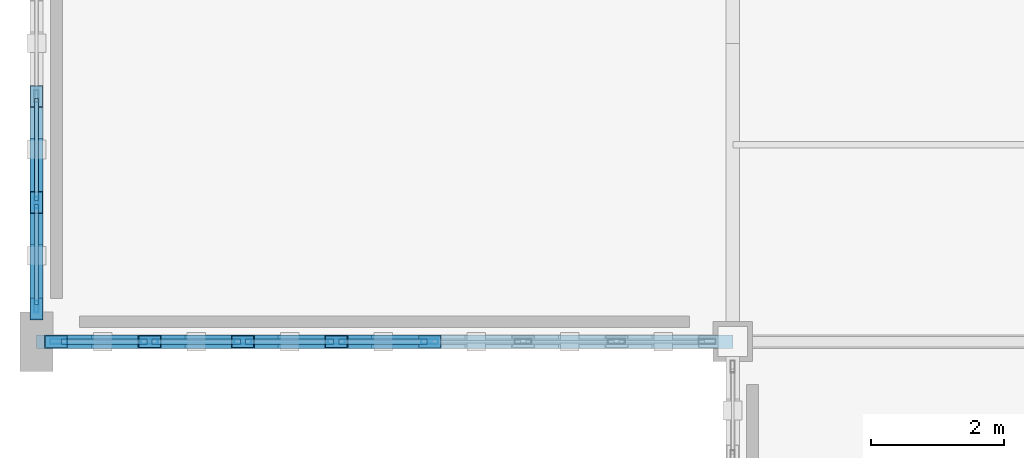
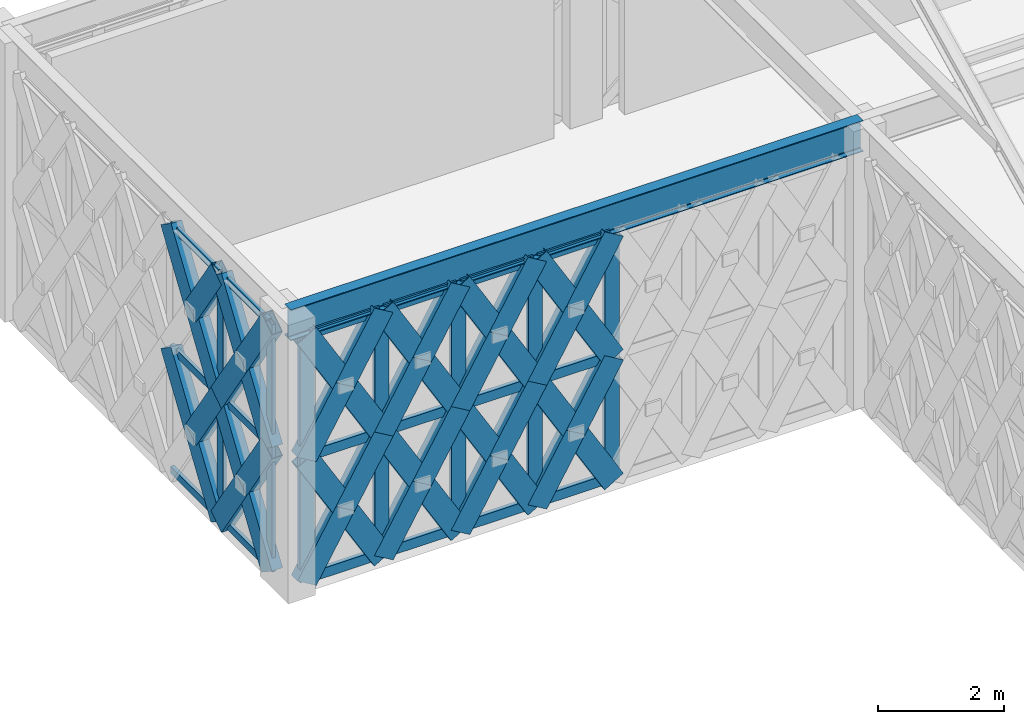
# One storey, part 4 of 32: 59 members, 1 beam, 2 elements without a shape of their own.
"""IFC4 building model written with IfcOpenShell, lengths in metres."""

from ifc_helpers import new_model, si_unit, direction, frame, origin, origin_2d, place, context, subcontext, project, spatial, hollow_rectangle, i_section, extrude, material, material_profile, profile_set, type_object, element, aggregate, save


model = new_model("IFC4")

# Units and contexts
model_context = context("Model", 3, precision=1e-05, world=origin(), true_north=direction((0.0, 1.0)))
body_context = subcontext(model_context, "Body", "Model", "MODEL_VIEW")
ifc_project = project(units=[si_unit("LENGTHUNIT", "METRE"), si_unit("AREAUNIT", "SQUARE_METRE"), si_unit("VOLUMEUNIT", "CUBIC_METRE"), si_unit("PLANEANGLEUNIT", "RADIAN"), si_unit("MASSUNIT", "GRAM", prefix="KILO")], contexts=[model_context])

# Site, building, storey
site_placement = place(None, origin())
site = spatial("IfcSite", under=ifc_project, at=site_placement, CompositionType="ELEMENT")
building_placement = place(site_placement, origin())
building = spatial("IfcBuilding", under=site, at=building_placement, Name="Haizhuo Lancet Aquarium", CompositionType="ELEMENT")
storey_placement = place(building_placement, frame((0.0, 0.0, 27.0)))
storey = spatial("IfcBuildingStorey", under=building, at=storey_placement, Name="L05", CompositionType="ELEMENT", Elevation=27.0)

# Beam
ifc_material_1 = material(Name="Steel S355", Category="steel")
ifc_material_profile_1 = material_profile(ifc_material_1, i_section(OverallWidth=0.199951171875, OverallDepth=0.60009765625, WebThickness=0.010986328125, FlangeThickness=0.01708984375, FilletRadius=0.02197265625, at=origin_2d()), Name="HN 600x200x11x17")
ifc_profile_set_1 = profile_set([ifc_material_profile_1], Name="Steel S355")
beam_type = type_object("IfcBeamType", Name="BM-ST-HN600", PredefinedType="BEAM", material=ifc_profile_set_1)
beam_placement = place(storey_placement, frame((-82.5, -18.0, 5.10009765625), z_axis=(1.0, 0.0, 0.0), x_axis=(0.0, 1.0, 0.0)))
element("IfcBeam", 1, at=beam_placement, inside=storey, type_object=beam_type, Name="L05 V6 primary girder BM-L05-V6-002", PredefinedType="BEAM", context=body_context, shape_type="SweptSolid", body=[
    extrude(i_section(OverallWidth=0.199951171875, OverallDepth=0.60009765625, WebThickness=0.010986328125, FlangeThickness=0.01708984375, FilletRadius=0.02197265625, at=origin_2d()), origin(), (0.0, 0.0, 1.0), 10.5),
])

# Curtain wall, members
ifc_material_2 = material(Name="Aluminium 6063-T6", Category="aluminium")
curtain_wall_type_1 = type_object("IfcCurtainWallType", Name="CWD-8010x4800", PredefinedType="NOTDEFINED", material=ifc_material_2)
curtain_wall_1_placement = place(storey_placement, origin())
curtain_wall_1 = element("IfcCurtainWall", 2, at=curtain_wall_1_placement, inside=storey, type_object=curtain_wall_type_1, Name="L05 curtain wall CW-V6-L05-259", PredefinedType="NOTDEFINED")
ifc_material_profile_2 = material_profile(ifc_material_2, hollow_rectangle(XDim=0.06494140625, YDim=0.179931640625, WallThickness=0.00390625, at=origin_2d()), Name="ALU-M 65x180x4")
ifc_profile_set_2 = profile_set([ifc_material_profile_2], Name="Aluminium 6063-T6")
member_type_1 = type_object("IfcMemberType", Name="CW-MUL-1", PredefinedType="MULLION", material=ifc_profile_set_2)
member_1_placement = place(storey_placement, frame((-82.5, -17.472900390625, 0.0), z_axis=(0.0, 0.0, 1.0), x_axis=(-1.0, 0.0, 0.0)))
member_1 = element("IfcMember", 3, at=member_1_placement, type_object=member_type_1, Name="CWD-80x48 mullion 1", PredefinedType="MULLION", context=body_context, shape_type="SweptSolid", body=[
    extrude(hollow_rectangle(XDim=0.06494140625, YDim=0.179931640625, WallThickness=0.00390625, at=origin_2d()), origin(), (0.0, 0.0, 1.0), 4.800048828125),
])
member_2_placement = place(storey_placement, frame((-82.5, -15.903076171875, 0.0), z_axis=(0.0, 0.0, 1.0), x_axis=(-1.0, 0.0, 0.0)))
member_2 = element("IfcMember", 4, at=member_2_placement, type_object=member_type_1, Name="CWD-80x48 mullion 2", PredefinedType="MULLION", context=body_context, shape_type="SweptSolid", body=[
    extrude(hollow_rectangle(XDim=0.06494140625, YDim=0.179931640625, WallThickness=0.00390625, at=origin_2d()), origin(), (0.0, 0.0, 1.0), 4.800048828125),
])

curtain_wall_type_2 = type_object("IfcCurtainWallType", Name="CWD-9860x4800", PredefinedType="NOTDEFINED", material=ifc_material_2)
curtain_wall_2_placement = place(storey_placement, origin())
curtain_wall_2 = element("IfcCurtainWall", 5, at=curtain_wall_2_placement, inside=storey, type_object=curtain_wall_type_2, Name="L05 curtain wall CW-V6-L05-258", PredefinedType="NOTDEFINED")
ifc_material_profile_3 = material_profile(ifc_material_2, hollow_rectangle(XDim=0.080078125, YDim=0.260009765625, WallThickness=0.0048828125, at=origin_2d()), Name="ALU-M 80x260x5")
ifc_profile_set_3 = profile_set([ifc_material_profile_3], Name="Aluminium 6063-T6")
member_type_2 = type_object("IfcMemberType", Name="CW-MUL-3", PredefinedType="MULLION", material=ifc_profile_set_3)
member_3_placement = place(storey_placement, frame((-76.571044921875, -18.0, 0.0), z_axis=(0.0, 0.0, 1.0), x_axis=(0.0, -1.0, 0.0)))
member_3 = element("IfcMember", 6, at=member_3_placement, type_object=member_type_2, Name="CWD-98x48 mullion 4", PredefinedType="MULLION", context=body_context, shape_type="SweptSolid", body=[
    extrude(hollow_rectangle(XDim=0.080078125, YDim=0.260009765625, WallThickness=0.0048828125, at=origin_2d()), origin(), (0.0, 0.0, 1.0), 4.800048828125),
])
member_4_placement = place(storey_placement, frame((-77.97900390625, -18.0, 0.0), z_axis=(0.0, 0.0, 1.0), x_axis=(0.0, -1.0, 0.0)))
member_4 = element("IfcMember", 7, at=member_4_placement, type_object=member_type_2, Name="CWD-98x48 mullion 5", PredefinedType="MULLION", context=body_context, shape_type="SweptSolid", body=[
    extrude(hollow_rectangle(XDim=0.080078125, YDim=0.260009765625, WallThickness=0.0048828125, at=origin_2d()), origin(), (0.0, 0.0, 1.0), 4.800048828125),
])
member_5_placement = place(storey_placement, frame((-79.387939453125, -18.0, 0.0), z_axis=(0.0, 0.0, 1.0), x_axis=(0.0, -1.0, 0.0)))
member_5 = element("IfcMember", 8, at=member_5_placement, type_object=member_type_2, Name="CWD-98x48 mullion 6", PredefinedType="MULLION", context=body_context, shape_type="SweptSolid", body=[
    extrude(hollow_rectangle(XDim=0.080078125, YDim=0.260009765625, WallThickness=0.0048828125, at=origin_2d()), origin(), (0.0, 0.0, 1.0), 4.800048828125),
])
member_6_placement = place(storey_placement, frame((-80.7958984375, -18.0, 0.0), z_axis=(0.0, 0.0, 1.0), x_axis=(0.0, -1.0, 0.0)))
member_6 = element("IfcMember", 9, at=member_6_placement, type_object=member_type_2, Name="CWD-98x48 mullion 7", PredefinedType="MULLION", context=body_context, shape_type="SweptSolid", body=[
    extrude(hollow_rectangle(XDim=0.080078125, YDim=0.260009765625, WallThickness=0.0048828125, at=origin_2d()), origin(), (0.0, 0.0, 1.0), 4.800048828125),
])
member_7_placement = place(storey_placement, frame((-82.1650390625, -18.0, 0.0), z_axis=(0.0, 0.0, 1.0), x_axis=(0.0, -1.0, 0.0)))
member_7 = element("IfcMember", 10, at=member_7_placement, type_object=member_type_2, Name="CWD-98x48 mullion 8", PredefinedType="MULLION", context=body_context, shape_type="SweptSolid", body=[
    extrude(hollow_rectangle(XDim=0.080078125, YDim=0.260009765625, WallThickness=0.0048828125, at=origin_2d()), origin(), (0.0, 0.0, 1.0), 4.800048828125),
])

# Member
ifc_material_profile_4 = material_profile(ifc_material_2, hollow_rectangle(XDim=0.06494140625, YDim=0.139892578125, WallThickness=0.00390625, at=origin_2d()), Name="ALU-T 65x140x4")
ifc_profile_set_4 = profile_set([ifc_material_profile_4], Name="Aluminium 6063-T6")
member_type_3 = type_object("IfcMemberType", Name="CW-TRN-1", PredefinedType="NOTDEFINED", material=ifc_profile_set_4)
member_8_placement = place(storey_placement, frame((-82.5, -17.43994140625, 0.031982421875), z_axis=(0.0, 1.0, 0.0), x_axis=(-1.0, 0.0, 0.0)))
member_8 = element("IfcMember", 11, at=member_8_placement, type_object=member_type_3, Name="CWD-80x48 transom 1.1", ObjectType="TRANSOM", PredefinedType="USERDEFINED", context=body_context, shape_type="SweptSolid", body=[
    extrude(hollow_rectangle(XDim=0.06494140625, YDim=0.139892578125, WallThickness=0.00390625, at=origin_2d()), origin(), (0.0, 0.0, 1.0), 1.5048828125),
])

member_9_placement = place(storey_placement, frame((-82.5, -17.43994140625, 2.39990234375), z_axis=(0.0, 1.0, 0.0), x_axis=(-1.0, 0.0, 0.0)))
member_9 = element("IfcMember", 12, at=member_9_placement, type_object=member_type_3, Name="CWD-80x48 transom 1.2", ObjectType="TRANSOM", PredefinedType="USERDEFINED", context=body_context, shape_type="SweptSolid", body=[
    extrude(hollow_rectangle(XDim=0.06494140625, YDim=0.139892578125, WallThickness=0.00390625, at=origin_2d()), origin(), (0.0, 0.0, 1.0), 1.5048828125),
])

member_10_placement = place(storey_placement, frame((-82.5, -17.43994140625, 4.76806640625), z_axis=(0.0, 1.0, 0.0), x_axis=(-1.0, 0.0, 0.0)))
member_10 = element("IfcMember", 13, at=member_10_placement, type_object=member_type_3, Name="CWD-80x48 transom 1.3", ObjectType="TRANSOM", PredefinedType="USERDEFINED", context=body_context, shape_type="SweptSolid", body=[
    extrude(hollow_rectangle(XDim=0.06494140625, YDim=0.139892578125, WallThickness=0.00390625, at=origin_2d()), origin(), (0.0, 0.0, 1.0), 1.5048828125),
])

member_11_placement = place(storey_placement, frame((-82.5, -15.8701171875, 0.031982421875), z_axis=(0.0, 1.0, 0.0), x_axis=(-1.0, 0.0, 0.0)))
member_11 = element("IfcMember", 14, at=member_11_placement, type_object=member_type_3, Name="CWD-80x48 transom 2.1", ObjectType="TRANSOM", PredefinedType="USERDEFINED", context=body_context, shape_type="SweptSolid", body=[
    extrude(hollow_rectangle(XDim=0.06494140625, YDim=0.139892578125, WallThickness=0.00390625, at=origin_2d()), origin(), (0.0, 0.0, 1.0), 1.537109375),
])

member_12_placement = place(storey_placement, frame((-82.5, -15.8701171875, 2.39990234375), z_axis=(0.0, 1.0, 0.0), x_axis=(-1.0, 0.0, 0.0)))
member_12 = element("IfcMember", 15, at=member_12_placement, type_object=member_type_3, Name="CWD-80x48 transom 2.2", ObjectType="TRANSOM", PredefinedType="USERDEFINED", context=body_context, shape_type="SweptSolid", body=[
    extrude(hollow_rectangle(XDim=0.06494140625, YDim=0.139892578125, WallThickness=0.00390625, at=origin_2d()), origin(), (0.0, 0.0, 1.0), 1.537109375),
])

member_13_placement = place(storey_placement, frame((-82.5, -15.8701171875, 4.76806640625), z_axis=(0.0, 1.0, 0.0), x_axis=(-1.0, 0.0, 0.0)))
member_13 = element("IfcMember", 16, at=member_13_placement, type_object=member_type_3, Name="CWD-80x48 transom 2.3", ObjectType="TRANSOM", PredefinedType="USERDEFINED", context=body_context, shape_type="SweptSolid", body=[
    extrude(hollow_rectangle(XDim=0.06494140625, YDim=0.139892578125, WallThickness=0.00390625, at=origin_2d()), origin(), (0.0, 0.0, 1.0), 1.537109375),
])

aggregate(curtain_wall_1, [member_1, member_2, member_8, member_9, member_10, member_11, member_12, member_13])

ifc_material_profile_5 = material_profile(ifc_material_2, hollow_rectangle(XDim=0.080078125, YDim=0.18994140625, WallThickness=0.0048828125, at=origin_2d()), Name="ALU-T 80x190x5")
ifc_profile_set_5 = profile_set([ifc_material_profile_5], Name="Aluminium 6063-T6")
member_type_4 = type_object("IfcMemberType", Name="CW-TRN-3", PredefinedType="NOTDEFINED", material=ifc_profile_set_5)
member_14_placement = place(storey_placement, frame((-76.611083984375, -18.0, 0.0400390625), z_axis=(-1.0, 0.0, 0.0), x_axis=(0.0, -1.0, 0.0)))
member_14 = element("IfcMember", 17, at=member_14_placement, type_object=member_type_4, Name="CWD-98x48 transom 4.1", ObjectType="TRANSOM", PredefinedType="USERDEFINED", context=body_context, shape_type="SweptSolid", body=[
    extrude(hollow_rectangle(XDim=0.080078125, YDim=0.18994140625, WallThickness=0.0048828125, at=origin_2d()), origin(), (0.0, 0.0, 1.0), 1.327880859375),
])

member_15_placement = place(storey_placement, frame((-76.611083984375, -18.0, 2.39990234375), z_axis=(-1.0, 0.0, 0.0), x_axis=(0.0, -1.0, 0.0)))
member_15 = element("IfcMember", 18, at=member_15_placement, type_object=member_type_4, Name="CWD-98x48 transom 4.2", ObjectType="TRANSOM", PredefinedType="USERDEFINED", context=body_context, shape_type="SweptSolid", body=[
    extrude(hollow_rectangle(XDim=0.080078125, YDim=0.18994140625, WallThickness=0.0048828125, at=origin_2d()), origin(), (0.0, 0.0, 1.0), 1.327880859375),
])

member_16_placement = place(storey_placement, frame((-76.611083984375, -18.0, 4.760009765625), z_axis=(-1.0, 0.0, 0.0), x_axis=(0.0, -1.0, 0.0)))
member_16 = element("IfcMember", 19, at=member_16_placement, type_object=member_type_4, Name="CWD-98x48 transom 4.3", ObjectType="TRANSOM", PredefinedType="USERDEFINED", context=body_context, shape_type="SweptSolid", body=[
    extrude(hollow_rectangle(XDim=0.080078125, YDim=0.18994140625, WallThickness=0.0048828125, at=origin_2d()), origin(), (0.0, 0.0, 1.0), 1.327880859375),
])

member_17_placement = place(storey_placement, frame((-78.01904296875, -18.0, 0.0400390625), z_axis=(-1.0, 0.0, 0.0), x_axis=(0.0, -1.0, 0.0)))
member_17 = element("IfcMember", 20, at=member_17_placement, type_object=member_type_4, Name="CWD-98x48 transom 5.1", ObjectType="TRANSOM", PredefinedType="USERDEFINED", context=body_context, shape_type="SweptSolid", body=[
    extrude(hollow_rectangle(XDim=0.080078125, YDim=0.18994140625, WallThickness=0.0048828125, at=origin_2d()), origin(), (0.0, 0.0, 1.0), 1.328857421875),
])

member_18_placement = place(storey_placement, frame((-78.01904296875, -18.0, 2.39990234375), z_axis=(-1.0, 0.0, 0.0), x_axis=(0.0, -1.0, 0.0)))
member_18 = element("IfcMember", 21, at=member_18_placement, type_object=member_type_4, Name="CWD-98x48 transom 5.2", ObjectType="TRANSOM", PredefinedType="USERDEFINED", context=body_context, shape_type="SweptSolid", body=[
    extrude(hollow_rectangle(XDim=0.080078125, YDim=0.18994140625, WallThickness=0.0048828125, at=origin_2d()), origin(), (0.0, 0.0, 1.0), 1.328857421875),
])

member_19_placement = place(storey_placement, frame((-78.01904296875, -18.0, 4.760009765625), z_axis=(-1.0, 0.0, 0.0), x_axis=(0.0, -1.0, 0.0)))
member_19 = element("IfcMember", 22, at=member_19_placement, type_object=member_type_4, Name="CWD-98x48 transom 5.3", ObjectType="TRANSOM", PredefinedType="USERDEFINED", context=body_context, shape_type="SweptSolid", body=[
    extrude(hollow_rectangle(XDim=0.080078125, YDim=0.18994140625, WallThickness=0.0048828125, at=origin_2d()), origin(), (0.0, 0.0, 1.0), 1.328857421875),
])

member_20_placement = place(storey_placement, frame((-79.427978515625, -18.0, 0.0400390625), z_axis=(-1.0, 0.0, 0.0), x_axis=(0.0, -1.0, 0.0)))
member_20 = element("IfcMember", 23, at=member_20_placement, type_object=member_type_4, Name="CWD-98x48 transom 6.1", ObjectType="TRANSOM", PredefinedType="USERDEFINED", context=body_context, shape_type="SweptSolid", body=[
    extrude(hollow_rectangle(XDim=0.080078125, YDim=0.18994140625, WallThickness=0.0048828125, at=origin_2d()), origin(), (0.0, 0.0, 1.0), 1.328125),
])

member_21_placement = place(storey_placement, frame((-79.427978515625, -18.0, 2.39990234375), z_axis=(-1.0, 0.0, 0.0), x_axis=(0.0, -1.0, 0.0)))
member_21 = element("IfcMember", 24, at=member_21_placement, type_object=member_type_4, Name="CWD-98x48 transom 6.2", ObjectType="TRANSOM", PredefinedType="USERDEFINED", context=body_context, shape_type="SweptSolid", body=[
    extrude(hollow_rectangle(XDim=0.080078125, YDim=0.18994140625, WallThickness=0.0048828125, at=origin_2d()), origin(), (0.0, 0.0, 1.0), 1.328125),
])

member_22_placement = place(storey_placement, frame((-79.427978515625, -18.0, 4.760009765625), z_axis=(-1.0, 0.0, 0.0), x_axis=(0.0, -1.0, 0.0)))
member_22 = element("IfcMember", 25, at=member_22_placement, type_object=member_type_4, Name="CWD-98x48 transom 6.3", ObjectType="TRANSOM", PredefinedType="USERDEFINED", context=body_context, shape_type="SweptSolid", body=[
    extrude(hollow_rectangle(XDim=0.080078125, YDim=0.18994140625, WallThickness=0.0048828125, at=origin_2d()), origin(), (0.0, 0.0, 1.0), 1.328125),
])

member_23_placement = place(storey_placement, frame((-80.8359375, -18.0, 0.0400390625), z_axis=(-1.0, 0.0, 0.0), x_axis=(0.0, -1.0, 0.0)))
member_23 = element("IfcMember", 26, at=member_23_placement, type_object=member_type_4, Name="CWD-98x48 transom 7.1", ObjectType="TRANSOM", PredefinedType="USERDEFINED", context=body_context, shape_type="SweptSolid", body=[
    extrude(hollow_rectangle(XDim=0.080078125, YDim=0.18994140625, WallThickness=0.0048828125, at=origin_2d()), origin(), (0.0, 0.0, 1.0), 1.2890625),
])

member_24_placement = place(storey_placement, frame((-80.8359375, -18.0, 2.39990234375), z_axis=(-1.0, 0.0, 0.0), x_axis=(0.0, -1.0, 0.0)))
member_24 = element("IfcMember", 27, at=member_24_placement, type_object=member_type_4, Name="CWD-98x48 transom 7.2", ObjectType="TRANSOM", PredefinedType="USERDEFINED", context=body_context, shape_type="SweptSolid", body=[
    extrude(hollow_rectangle(XDim=0.080078125, YDim=0.18994140625, WallThickness=0.0048828125, at=origin_2d()), origin(), (0.0, 0.0, 1.0), 1.2890625),
])

member_25_placement = place(storey_placement, frame((-80.8359375, -18.0, 4.760009765625), z_axis=(-1.0, 0.0, 0.0), x_axis=(0.0, -1.0, 0.0)))
member_25 = element("IfcMember", 28, at=member_25_placement, type_object=member_type_4, Name="CWD-98x48 transom 7.3", ObjectType="TRANSOM", PredefinedType="USERDEFINED", context=body_context, shape_type="SweptSolid", body=[
    extrude(hollow_rectangle(XDim=0.080078125, YDim=0.18994140625, WallThickness=0.0048828125, at=origin_2d()), origin(), (0.0, 0.0, 1.0), 1.2890625),
])

aggregate(curtain_wall_2, [member_3, member_4, member_5, member_6, member_7, member_14, member_15, member_16, member_17, member_18, member_19, member_20, member_21, member_22, member_23, member_24, member_25])

# Members
ifc_material_profile_6 = material_profile(ifc_material_1, hollow_rectangle(XDim=0.199951171875, YDim=0.39990234375, WallThickness=0.011962890625, at=origin_2d()), Name="RHS 200x400x12")
ifc_profile_set_6 = profile_set([ifc_material_profile_6], Name="Steel S355")
member_type_5 = type_object("IfcMemberType", Name="MEM-LB-RHS200x400", PredefinedType="BRACE", material=ifc_profile_set_6)
member_26_placement = place(storey_placement, frame((-76.571044921875, -18.0, 0.0), z_axis=(-0.506018963176, 0.0, 0.8625223527), x_axis=(0.0, -1.0, 0.0)))
element("IfcMember", 29, at=member_26_placement, inside=storey, type_object=member_type_5, Name="Gothic lancet continuous diagonal brace CW-V6-L05-258 7A", PredefinedType="BRACE", context=body_context, shape_type="SweptSolid", body=[
    extrude(hollow_rectangle(XDim=0.199951171875, YDim=0.39990234375, WallThickness=0.011962890625, at=origin_2d()), origin(), (0.0, 0.0, 1.0), 2.782470703125),
])
member_27_placement = place(storey_placement, frame((-77.97900390625, -18.0, 0.0), z_axis=(0.506084235433, 0.0, 0.862484055879), x_axis=(0.0, 1.0, 0.0)))
element("IfcMember", 30, at=member_27_placement, inside=storey, type_object=member_type_5, Name="Gothic lancet split diagonal brace CW-V6-L05-258 7B1", PredefinedType="BRACE", context=body_context, shape_type="SweptSolid", body=[
    extrude(hollow_rectangle(XDim=0.199951171875, YDim=0.39990234375, WallThickness=0.011962890625, at=origin_2d()), origin(), (0.0, 0.0, 1.0), 1.391357421875),
])
member_28_placement = place(storey_placement, frame((-77.27490234375, -18.0, 1.199951171875), z_axis=(0.505953682223, 0.0, 0.862560647981), x_axis=(0.0, 1.0, 0.0)))
element("IfcMember", 31, at=member_28_placement, inside=storey, type_object=member_type_5, Name="Gothic lancet split diagonal brace CW-V6-L05-258 7B2", PredefinedType="BRACE", context=body_context, shape_type="SweptSolid", body=[
    extrude(hollow_rectangle(XDim=0.199951171875, YDim=0.39990234375, WallThickness=0.011962890625, at=origin_2d()), origin(), (0.0, 0.0, 1.0), 1.39111328125),
])
member_29_placement = place(storey_placement, frame((-76.571044921875, -18.0, 2.39990234375), z_axis=(-0.505980669524, 0.0, 0.862544817426), x_axis=(0.0, -1.0, 0.0)))
element("IfcMember", 32, at=member_29_placement, inside=storey, type_object=member_type_5, Name="Gothic lancet continuous diagonal brace CW-V6-L05-258 8A", PredefinedType="BRACE", context=body_context, shape_type="SweptSolid", body=[
    extrude(hollow_rectangle(XDim=0.199951171875, YDim=0.39990234375, WallThickness=0.011962890625, at=origin_2d()), origin(), (0.0, 0.0, 1.0), 2.78271484375),
])
member_30_placement = place(storey_placement, frame((-77.97900390625, -18.0, 2.39990234375), z_axis=(0.50600764985, 0.0, 0.862528989828), x_axis=(0.0, 1.0, 0.0)))
element("IfcMember", 33, at=member_30_placement, inside=storey, type_object=member_type_5, Name="Gothic lancet split diagonal brace CW-V6-L05-258 8B1", PredefinedType="BRACE", context=body_context, shape_type="SweptSolid", body=[
    extrude(hollow_rectangle(XDim=0.199951171875, YDim=0.39990234375, WallThickness=0.011962890625, at=origin_2d()), origin(), (0.0, 0.0, 1.0), 1.3916015625),
])
member_31_placement = place(storey_placement, frame((-77.27490234375, -18.0, 3.60009765625), z_axis=(0.505953682223, 0.0, 0.862560647981), x_axis=(0.0, 1.0, 0.0)))
element("IfcMember", 34, at=member_31_placement, inside=storey, type_object=member_type_5, Name="Gothic lancet split diagonal brace CW-V6-L05-258 8B2", PredefinedType="BRACE", context=body_context, shape_type="SweptSolid", body=[
    extrude(hollow_rectangle(XDim=0.199951171875, YDim=0.39990234375, WallThickness=0.011962890625, at=origin_2d()), origin(), (0.0, 0.0, 1.0), 1.39111328125),
])
member_32_placement = place(storey_placement, frame((-77.97900390625, -18.0, 0.0), z_axis=(-0.506280000041, 0.0, 0.862369156196), x_axis=(0.0, -1.0, 0.0)))
element("IfcMember", 35, at=member_32_placement, inside=storey, type_object=member_type_5, Name="Gothic lancet continuous diagonal brace CW-V6-L05-258 9A", PredefinedType="BRACE", context=body_context, shape_type="SweptSolid", body=[
    extrude(hollow_rectangle(XDim=0.199951171875, YDim=0.39990234375, WallThickness=0.011962890625, at=origin_2d()), origin(), (0.0, 0.0, 1.0), 2.782958984375),
])
member_33_placement = place(storey_placement, frame((-79.387939453125, -18.0, 0.0), z_axis=(0.505953682223, 0.0, 0.862560647981), x_axis=(0.0, 1.0, 0.0)))
element("IfcMember", 36, at=member_33_placement, inside=storey, type_object=member_type_5, Name="Gothic lancet split diagonal brace CW-V6-L05-258 9B1", PredefinedType="BRACE", context=body_context, shape_type="SweptSolid", body=[
    extrude(hollow_rectangle(XDim=0.199951171875, YDim=0.39990234375, WallThickness=0.011962890625, at=origin_2d()), origin(), (0.0, 0.0, 1.0), 1.39111328125),
])
member_34_placement = place(storey_placement, frame((-78.68408203125, -18.0, 1.199951171875), z_axis=(0.50660610053, 0.0, 0.862177626076), x_axis=(0.0, 1.0, 0.0)))
element("IfcMember", 37, at=member_34_placement, inside=storey, type_object=member_type_5, Name="Gothic lancet split diagonal brace CW-V6-L05-258 9B2", PredefinedType="BRACE", context=body_context, shape_type="SweptSolid", body=[
    extrude(hollow_rectangle(XDim=0.199951171875, YDim=0.39990234375, WallThickness=0.011962890625, at=origin_2d()), origin(), (0.0, 0.0, 1.0), 1.391845703125),
])
member_35_placement = place(storey_placement, frame((-77.97900390625, -18.0, 2.39990234375), z_axis=(-0.506241700243, 0.0, 0.862391640112), x_axis=(0.0, -1.0, 0.0)))
element("IfcMember", 38, at=member_35_placement, inside=storey, type_object=member_type_5, Name="Gothic lancet continuous diagonal brace CW-V6-L05-258 10A", PredefinedType="BRACE", context=body_context, shape_type="SweptSolid", body=[
    extrude(hollow_rectangle(XDim=0.199951171875, YDim=0.39990234375, WallThickness=0.011962890625, at=origin_2d()), origin(), (0.0, 0.0, 1.0), 2.783203125),
])
member_36_placement = place(storey_placement, frame((-79.387939453125, -18.0, 2.39990234375), z_axis=(0.5058771028, 0.0, 0.862605562736), x_axis=(0.0, 1.0, 0.0)))
element("IfcMember", 39, at=member_36_placement, inside=storey, type_object=member_type_5, Name="Gothic lancet split diagonal brace CW-V6-L05-258 10B1", PredefinedType="BRACE", context=body_context, shape_type="SweptSolid", body=[
    extrude(hollow_rectangle(XDim=0.199951171875, YDim=0.39990234375, WallThickness=0.011962890625, at=origin_2d()), origin(), (0.0, 0.0, 1.0), 1.391357421875),
])
member_37_placement = place(storey_placement, frame((-78.68408203125, -18.0, 3.60009765625), z_axis=(0.50660610053, 0.0, 0.862177626076), x_axis=(0.0, 1.0, 0.0)))
element("IfcMember", 40, at=member_37_placement, inside=storey, type_object=member_type_5, Name="Gothic lancet split diagonal brace CW-V6-L05-258 10B2", PredefinedType="BRACE", context=body_context, shape_type="SweptSolid", body=[
    extrude(hollow_rectangle(XDim=0.199951171875, YDim=0.39990234375, WallThickness=0.011962890625, at=origin_2d()), origin(), (0.0, 0.0, 1.0), 1.391845703125),
])
member_38_placement = place(storey_placement, frame((-79.387939453125, -18.0, 0.0), z_axis=(-0.506018963176, 0.0, 0.8625223527), x_axis=(0.0, -1.0, 0.0)))
element("IfcMember", 41, at=member_38_placement, inside=storey, type_object=member_type_5, Name="Gothic lancet continuous diagonal brace CW-V6-L05-258 11A", PredefinedType="BRACE", context=body_context, shape_type="SweptSolid", body=[
    extrude(hollow_rectangle(XDim=0.199951171875, YDim=0.39990234375, WallThickness=0.011962890625, at=origin_2d()), origin(), (0.0, 0.0, 1.0), 2.782470703125),
])
member_39_placement = place(storey_placement, frame((-80.7958984375, -18.0, 0.0), z_axis=(0.505953682223, 0.0, 0.862560647981), x_axis=(0.0, 1.0, 0.0)))
element("IfcMember", 42, at=member_39_placement, inside=storey, type_object=member_type_5, Name="Gothic lancet split diagonal brace CW-V6-L05-258 11B1", PredefinedType="BRACE", context=body_context, shape_type="SweptSolid", body=[
    extrude(hollow_rectangle(XDim=0.199951171875, YDim=0.39990234375, WallThickness=0.011962890625, at=origin_2d()), origin(), (0.0, 0.0, 1.0), 1.39111328125),
])
member_40_placement = place(storey_placement, frame((-80.092041015625, -18.0, 1.199951171875), z_axis=(0.506084235433, 0.0, 0.862484055879), x_axis=(0.0, 1.0, 0.0)))
element("IfcMember", 43, at=member_40_placement, inside=storey, type_object=member_type_5, Name="Gothic lancet split diagonal brace CW-V6-L05-258 11B2", PredefinedType="BRACE", context=body_context, shape_type="SweptSolid", body=[
    extrude(hollow_rectangle(XDim=0.199951171875, YDim=0.39990234375, WallThickness=0.011962890625, at=origin_2d()), origin(), (0.0, 0.0, 1.0), 1.391357421875),
])
member_41_placement = place(storey_placement, frame((-79.387939453125, -18.0, 2.39990234375), z_axis=(-0.505980669524, 0.0, 0.862544817426), x_axis=(0.0, -1.0, 0.0)))
element("IfcMember", 44, at=member_41_placement, inside=storey, type_object=member_type_5, Name="Gothic lancet continuous diagonal brace CW-V6-L05-258 12A", PredefinedType="BRACE", context=body_context, shape_type="SweptSolid", body=[
    extrude(hollow_rectangle(XDim=0.199951171875, YDim=0.39990234375, WallThickness=0.011962890625, at=origin_2d()), origin(), (0.0, 0.0, 1.0), 2.78271484375),
])
for number, where, z_axis, x_axis, name in (
    (45, (-80.7958984375, -18.0, 2.39990234375), (0.5058771028, 0.0, 0.862605562736), (0.0, 1.0, 0.0), "Gothic lancet split diagonal brace CW-V6-L05-258 12B1"),
    (46, (-80.092041015625, -18.0, 3.60009765625), (0.506084235433, 0.0, 0.862484055879), (0.0, 1.0, 0.0), "Gothic lancet split diagonal brace CW-V6-L05-258 12B2"),
):
    element("IfcMember", number, at=place(storey_placement, frame(where, z_axis=z_axis, x_axis=x_axis)), inside=storey, type_object=member_type_5, Name=name, PredefinedType="BRACE", context=body_context, shape_type="SweptSolid", body=[
        extrude(hollow_rectangle(XDim=0.199951171875, YDim=0.39990234375, WallThickness=0.011962890625, at=origin_2d()), origin(), (0.0, 0.0, 1.0), 1.391357421875),
    ])
member_42_placement = place(storey_placement, frame((-80.7958984375, -18.0, 0.0), z_axis=(-0.506345237524, 0.0, 0.862330853233), x_axis=(0.0, -1.0, 0.0)))
element("IfcMember", 47, at=member_42_placement, inside=storey, type_object=member_type_5, Name="Gothic lancet continuous diagonal brace CW-V6-L05-258 13A", PredefinedType="BRACE", context=body_context, shape_type="SweptSolid", body=[
    extrude(hollow_rectangle(XDim=0.199951171875, YDim=0.39990234375, WallThickness=0.011962890625, at=origin_2d()), origin(), (0.0, 0.0, 1.0), 2.782958984375),
])
member_43_placement = place(storey_placement, frame((-82.205078125, -18.0, 0.0), z_axis=(0.506084235433, 0.0, 0.862484055879), x_axis=(0.0, 1.0, 0.0)))
element("IfcMember", 48, at=member_43_placement, inside=storey, type_object=member_type_5, Name="Gothic lancet split diagonal brace CW-V6-L05-258 13B1", PredefinedType="BRACE", context=body_context, shape_type="SweptSolid", body=[
    extrude(hollow_rectangle(XDim=0.199951171875, YDim=0.39990234375, WallThickness=0.011962890625, at=origin_2d()), origin(), (0.0, 0.0, 1.0), 1.391357421875),
])
member_44_placement = place(storey_placement, frame((-81.5009765625, -18.0, 1.199951171875), z_axis=(0.50660610053, 0.0, 0.862177626076), x_axis=(0.0, 1.0, 0.0)))
element("IfcMember", 49, at=member_44_placement, inside=storey, type_object=member_type_5, Name="Gothic lancet split diagonal brace CW-V6-L05-258 13B2", PredefinedType="BRACE", context=body_context, shape_type="SweptSolid", body=[
    extrude(hollow_rectangle(XDim=0.199951171875, YDim=0.39990234375, WallThickness=0.011962890625, at=origin_2d()), origin(), (0.0, 0.0, 1.0), 1.391845703125),
])
member_45_placement = place(storey_placement, frame((-80.7958984375, -18.0, 2.39990234375), z_axis=(-0.506306936192, 0.0, 0.862353341945), x_axis=(0.0, -1.0, 0.0)))
element("IfcMember", 50, at=member_45_placement, inside=storey, type_object=member_type_5, Name="Gothic lancet continuous diagonal brace CW-V6-L05-258 14A", PredefinedType="BRACE", context=body_context, shape_type="SweptSolid", body=[
    extrude(hollow_rectangle(XDim=0.199951171875, YDim=0.39990234375, WallThickness=0.011962890625, at=origin_2d()), origin(), (0.0, 0.0, 1.0), 2.783203125),
])
member_46_placement = place(storey_placement, frame((-82.205078125, -18.0, 2.39990234375), z_axis=(0.50600764985, 0.0, 0.862528989828), x_axis=(0.0, 1.0, 0.0)))
element("IfcMember", 51, at=member_46_placement, inside=storey, type_object=member_type_5, Name="Gothic lancet split diagonal brace CW-V6-L05-258 14B1", PredefinedType="BRACE", context=body_context, shape_type="SweptSolid", body=[
    extrude(hollow_rectangle(XDim=0.199951171875, YDim=0.39990234375, WallThickness=0.011962890625, at=origin_2d()), origin(), (0.0, 0.0, 1.0), 1.3916015625),
])
member_47_placement = place(storey_placement, frame((-81.5009765625, -18.0, 3.60009765625), z_axis=(0.50660610053, 0.0, 0.862177626076), x_axis=(0.0, 1.0, 0.0)))
element("IfcMember", 52, at=member_47_placement, inside=storey, type_object=member_type_5, Name="Gothic lancet split diagonal brace CW-V6-L05-258 14B2", PredefinedType="BRACE", context=body_context, shape_type="SweptSolid", body=[
    extrude(hollow_rectangle(XDim=0.199951171875, YDim=0.39990234375, WallThickness=0.011962890625, at=origin_2d()), origin(), (0.0, 0.0, 1.0), 1.391845703125),
])
member_48_placement = place(storey_placement, frame((-82.5, -17.5048828125, 0.0), z_axis=(0.0, 0.555149217883, 0.831750771496), x_axis=(-1.0, 0.0, 0.0)))
element("IfcMember", 53, at=member_48_placement, inside=storey, type_object=member_type_5, Name="Gothic lancet continuous diagonal brace CW-V6-L05-259 1A", PredefinedType="BRACE", context=body_context, shape_type="SweptSolid", body=[
    extrude(hollow_rectangle(XDim=0.199951171875, YDim=0.39990234375, WallThickness=0.011962890625, at=origin_2d()), origin(), (0.0, 0.0, 1.0), 2.88525390625),
])
for number, where, z_axis, x_axis, name in (
    (54, (-82.5, -15.903076171875, 0.0), (0.0, -0.555207750173, 0.831711701341), (1.0, 0.0, 0.0), "Gothic lancet split diagonal brace CW-V6-L05-259 1B1"),
    (55, (-82.5, -16.7041015625, 1.199951171875), (0.0, -0.555090677343, 0.831789841202), (1.0, 0.0, 0.0), "Gothic lancet split diagonal brace CW-V6-L05-259 1B2"),
):
    element("IfcMember", number, at=place(storey_placement, frame(where, z_axis=z_axis, x_axis=x_axis)), inside=storey, type_object=member_type_5, Name=name, PredefinedType="BRACE", context=body_context, shape_type="SweptSolid", body=[
        extrude(hollow_rectangle(XDim=0.199951171875, YDim=0.39990234375, WallThickness=0.011962890625, at=origin_2d()), origin(), (0.0, 0.0, 1.0), 1.442626953125),
    ])
member_49_placement = place(storey_placement, frame((-82.5, -17.5048828125, 2.39990234375), z_axis=(0.0, 0.555110150089, 0.831776845835), x_axis=(-1.0, 0.0, 0.0)))
element("IfcMember", 56, at=member_49_placement, inside=storey, type_object=member_type_5, Name="Gothic lancet continuous diagonal brace CW-V6-L05-259 2A", PredefinedType="BRACE", context=body_context, shape_type="SweptSolid", body=[
    extrude(hollow_rectangle(XDim=0.199951171875, YDim=0.39990234375, WallThickness=0.011962890625, at=origin_2d()), origin(), (0.0, 0.0, 1.0), 2.885498046875),
])
member_50_placement = place(storey_placement, frame((-82.5, -15.903076171875, 2.39990234375), z_axis=(0.0, -0.555129617962, 0.831763853063), x_axis=(1.0, 0.0, 0.0)))
element("IfcMember", 57, at=member_50_placement, inside=storey, type_object=member_type_5, Name="Gothic lancet split diagonal brace CW-V6-L05-259 2B1", PredefinedType="BRACE", context=body_context, shape_type="SweptSolid", body=[
    extrude(hollow_rectangle(XDim=0.199951171875, YDim=0.39990234375, WallThickness=0.011962890625, at=origin_2d()), origin(), (0.0, 0.0, 1.0), 1.44287109375),
])
member_51_placement = place(storey_placement, frame((-82.5, -16.7041015625, 3.60009765625), z_axis=(0.0, -0.555090677343, 0.831789841202), x_axis=(1.0, 0.0, 0.0)))
element("IfcMember", 58, at=member_51_placement, inside=storey, type_object=member_type_5, Name="Gothic lancet split diagonal brace CW-V6-L05-259 2B2", PredefinedType="BRACE", context=body_context, shape_type="SweptSolid", body=[
    extrude(hollow_rectangle(XDim=0.199951171875, YDim=0.39990234375, WallThickness=0.011962890625, at=origin_2d()), origin(), (0.0, 0.0, 1.0), 1.442626953125),
])
member_52_placement = place(storey_placement, frame((-82.5, -15.903076171875, 0.0), z_axis=(0.0, 0.555207750173, 0.831711701341), x_axis=(-1.0, 0.0, 0.0)))
element("IfcMember", 59, at=member_52_placement, inside=storey, type_object=member_type_5, Name="Gothic lancet continuous diagonal brace CW-V6-L05-259 3A", PredefinedType="BRACE", context=body_context, shape_type="SweptSolid", body=[
    extrude(hollow_rectangle(XDim=0.199951171875, YDim=0.39990234375, WallThickness=0.011962890625, at=origin_2d()), origin(), (0.0, 0.0, 1.0), 2.885498046875),
])
member_53_placement = place(storey_placement, frame((-82.5, -15.10205078125, 1.199951171875), z_axis=(0.0, -0.555207750173, 0.831711701341), x_axis=(1.0, 0.0, 0.0)))
element("IfcMember", 60, at=member_53_placement, inside=storey, type_object=member_type_5, Name="Gothic lancet split diagonal brace CW-V6-L05-259 3B2", PredefinedType="BRACE", context=body_context, shape_type="SweptSolid", body=[
    extrude(hollow_rectangle(XDim=0.199951171875, YDim=0.39990234375, WallThickness=0.011962890625, at=origin_2d()), origin(), (0.0, 0.0, 1.0), 1.442626953125),
])
member_54_placement = place(storey_placement, frame((-82.5, -15.903076171875, 2.39990234375), z_axis=(0.0, 0.555168681931, 0.831737779954), x_axis=(-1.0, 0.0, 0.0)))
element("IfcMember", 61, at=member_54_placement, inside=storey, type_object=member_type_5, Name="Gothic lancet continuous diagonal brace CW-V6-L05-259 4A", PredefinedType="BRACE", context=body_context, shape_type="SweptSolid", body=[
    extrude(hollow_rectangle(XDim=0.199951171875, YDim=0.39990234375, WallThickness=0.011962890625, at=origin_2d()), origin(), (0.0, 0.0, 1.0), 2.8857421875),
])
member_55_placement = place(storey_placement, frame((-82.5, -15.10205078125, 3.60009765625), z_axis=(0.0, -0.555207750173, 0.831711701341), x_axis=(1.0, 0.0, 0.0)))
element("IfcMember", 62, at=member_55_placement, inside=storey, type_object=member_type_5, Name="Gothic lancet split diagonal brace CW-V6-L05-259 4B2", PredefinedType="BRACE", context=body_context, shape_type="SweptSolid", body=[
    extrude(hollow_rectangle(XDim=0.199951171875, YDim=0.39990234375, WallThickness=0.011962890625, at=origin_2d()), origin(), (0.0, 0.0, 1.0), 1.442626953125),
])

save(model, "model.ifc")
